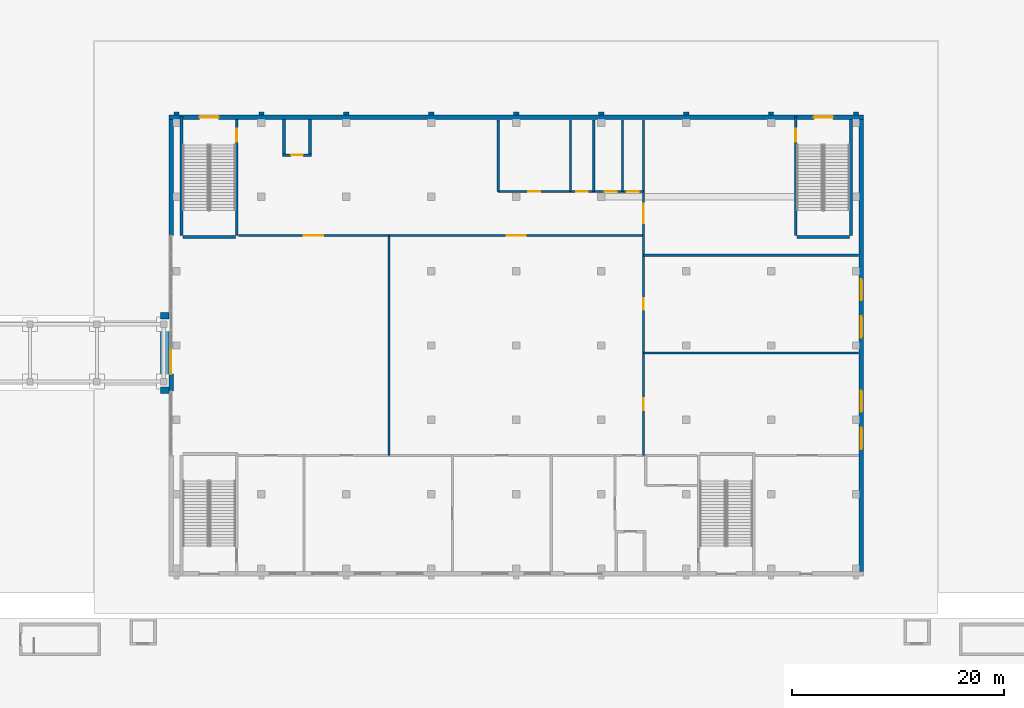
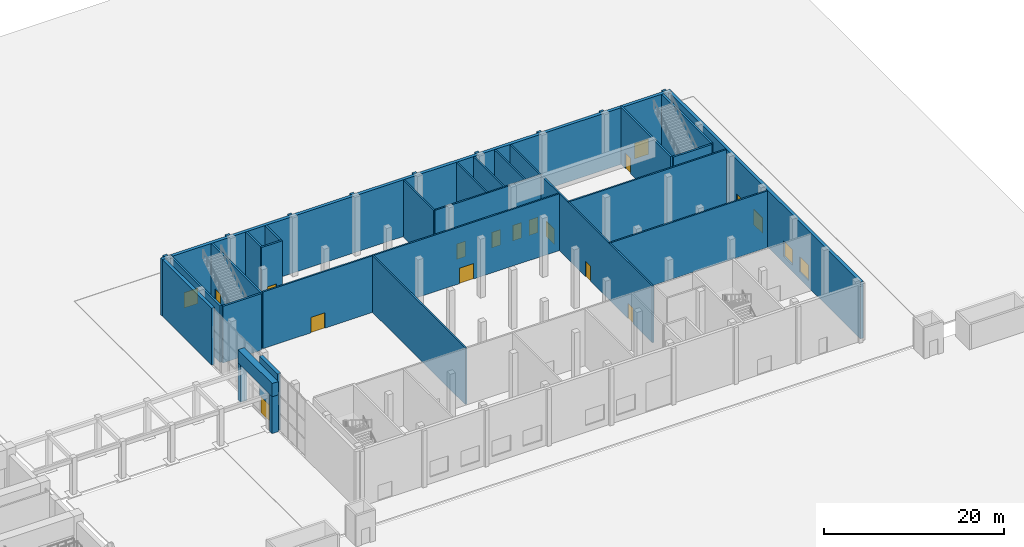
# One storey, part 34 of 57: 35 walls, 15 doors, 4 windows, 19 openings.
"""IFC4 building model written with IfcOpenShell, lengths in metres."""

from ifc_helpers import new_model, si_unit, direction, frame, frame_2d, origin, place, context, subcontext, project, spatial, rectangle, extrude, material, layer, layer_set, type_object, element, fill, save


model = new_model("IFC4")

# Units and contexts
model_context = context("Model", 3, precision=1e-05, world=origin(), true_north=direction((0.0, 1.0)))
body_context = subcontext(model_context, "Body", "Model", "MODEL_VIEW")
ifc_project = project(units=[si_unit("LENGTHUNIT", "METRE"), si_unit("AREAUNIT", "SQUARE_METRE"), si_unit("VOLUMEUNIT", "CUBIC_METRE"), si_unit("PLANEANGLEUNIT", "RADIAN"), si_unit("MASSUNIT", "GRAM", prefix="KILO")], contexts=[model_context])

# Site, building, storey
site_placement = place(None, origin())
site = spatial("IfcSite", under=ifc_project, at=site_placement, CompositionType="ELEMENT")
building_placement = place(site_placement, origin())
building = spatial("IfcBuilding", under=site, at=building_placement, Name="Tamorin Gate", CompositionType="ELEMENT")
storey_placement = place(building_placement, origin())
storey = spatial("IfcBuildingStorey", under=building, at=storey_placement, Name="L00", CompositionType="ELEMENT", Elevation=0.0)

# Wall, openings, doors
ifc_material_1 = material(Name="Dense blockwork, plastered", Category="masonry")
ifc_layer_1 = layer(ifc_material_1, 0.199951171875)
ifc_layer_set_1 = layer_set([ifc_layer_1], Name="Blockwork partition 200")
wall_type_1 = type_object("IfcWallType", Name="Blockwork partition 200", PredefinedType="PARTITIONING", material=ifc_layer_set_1)
wall_1_placement = place(storey_placement, frame((151.530029296875, 87.070068359375, 0.0), z_axis=(0.0, 0.0, 1.0), x_axis=(1.0, 0.0, 0.0)))
wall_1 = element("IfcWall", 1, at=wall_1_placement, inside=storey, type_object=wall_type_1, Name="Partition", PredefinedType="PARTITIONING", context=body_context, shape_type="SweptSolid", body=[
    extrude(rectangle(XDim=38.169921875, YDim=0.199951171875, at=frame_2d((19.0849609375, 0.0))), origin(), (0.0, 0.0, 1.0), 7.699951171875),
])
opening_1_placement = place(wall_1_placement, frame((6.169921875, 0.0, 0.0)))
opening_1 = element("IfcOpeningElement", 2, at=opening_1_placement, cuts=wall_1, Name="Opening DM60", PredefinedType="OPENING", context=body_context, shape_type="SweptSolid", body=[
    extrude(rectangle(XDim=1.800048828125, YDim=2.10009765625, at=frame_2d((0.89990234375, 1.050048828125))), frame((0.0, 0.10986328125, 0.0), z_axis=(0.0, -1.0, 0.0), x_axis=(1.0, 0.0, 0.0)), (0.0, 0.0, 1.0), 0.219970703125),
])
opening_2_placement = place(wall_1_placement, frame((25.27001953125, 0.0, 0.0)))
opening_2 = element("IfcOpeningElement", 3, at=opening_2_placement, cuts=wall_1, Name="Opening DM61", PredefinedType="OPENING", context=body_context, shape_type="SweptSolid", body=[
    extrude(rectangle(XDim=1.800048828125, YDim=2.10009765625, at=frame_2d((0.89990234375, 1.050048828125))), frame((0.0, 0.10986328125, 0.0), z_axis=(0.0, -1.0, 0.0), x_axis=(1.0, 0.0, 0.0)), (0.0, 0.0, 1.0), 0.219970703125),
])
ifc_material_2 = material(Name="Steel, painted", Category="steel")
door_type_1 = type_object("IfcDoorType", Name="Museum double door 1800x2100", OperationType="DOUBLE_DOOR_SINGLE_SWING", PredefinedType="DOOR", material=ifc_material_2)
door_1_placement = place(opening_1_placement, origin())
door_1 = element("IfcDoor", 4, at=door_1_placement, inside=storey, type_object=door_type_1, Name="Door Main hall", OperationType="DOUBLE_DOOR_SINGLE_SWING", OverallHeight=2.10009765625, OverallWidth=1.800048828125, PredefinedType="DOOR", context=body_context, shape_type="SweptSolid", body=[
    extrude(rectangle(XDim=1.800048828125, YDim=2.10009765625, at=frame_2d((0.89990234375, 1.050048828125))), frame((0.0, 0.02490234375, 0.0), z_axis=(0.0, -1.0, 0.0), x_axis=(1.0, 0.0, 0.0)), (0.0, 0.0, 1.0), 0.050048828125),
])
fill(opening_1, door_1)
door_2_placement = place(opening_2_placement, origin())
door_2 = element("IfcDoor", 5, at=door_2_placement, inside=storey, type_object=door_type_1, Name="Door Temporary exhibition gallery", OperationType="DOUBLE_DOOR_SINGLE_SWING", OverallHeight=2.10009765625, OverallWidth=1.800048828125, PredefinedType="DOOR", context=body_context, shape_type="SweptSolid", body=[
    extrude(rectangle(XDim=1.800048828125, YDim=2.10009765625, at=frame_2d((0.89990234375, 1.050048828125))), frame((0.0, 0.02490234375, 0.0), z_axis=(0.0, -1.0, 0.0), x_axis=(1.0, 0.0, 0.0)), (0.0, 0.0, 1.0), 0.050048828125),
])
fill(opening_2, door_2)

# Walls
for number, where, z_axis, x_axis, name in (
    (6, (189.699951171875, 76.0, 0.0), (0.0, 0.0, 1.0), (1.0, 0.0, 0.0), "Partition"),
    (7, (189.699951171875, 85.199951171875, 0.0), (0.0, 0.0, 1.0), (1.0, 0.0, 0.0), "Partition"),
):
    element("IfcWall", number, at=place(storey_placement, frame(where, z_axis=z_axis, x_axis=x_axis)), inside=storey, type_object=wall_type_1, Name=name, PredefinedType="PARTITIONING", context=body_context, shape_type="SweptSolid", body=[
        extrude(rectangle(XDim=20.25, YDim=0.199951171875, at=frame_2d((10.125, 0.0))), origin(), (0.0, 0.0, 1.0), 7.699951171875),
    ])

# Wall, openings, doors
wall_2_placement = place(storey_placement, frame((176.0, 91.199951171875, 0.0), z_axis=(0.0, 0.0, 1.0), x_axis=(1.0, 0.0, 0.0)))
wall_2 = element("IfcWall", 8, at=wall_2_placement, inside=storey, type_object=wall_type_1, Name="Partition", PredefinedType="PARTITIONING", context=body_context, shape_type="SweptSolid", body=[
    extrude(rectangle(XDim=13.699951171875, YDim=0.199951171875, at=frame_2d((6.85009765625, 0.0))), origin(), (0.0, 0.0, 1.0), 7.699951171875),
])
opening_3_placement = place(wall_2_placement, frame((2.85009765625, 0.0, 0.0)))
opening_3 = element("IfcOpeningElement", 9, at=opening_3_placement, cuts=wall_2, Name="Opening DM65", PredefinedType="OPENING", context=body_context, shape_type="SweptSolid", body=[
    extrude(rectangle(XDim=1.10009765625, YDim=2.10009765625, at=frame_2d((0.550048828125, 1.050048828125))), frame((0.0, 0.10986328125, 0.0), z_axis=(0.0, -1.0, 0.0), x_axis=(1.0, 0.0, 0.0)), (0.0, 0.0, 1.0), 0.219970703125),
])
opening_4_placement = place(wall_2_placement, frame((7.35009765625, 0.0, 0.0)))
opening_4 = element("IfcOpeningElement", 10, at=opening_4_placement, cuts=wall_2, Name="Opening DM66", PredefinedType="OPENING", context=body_context, shape_type="SweptSolid", body=[
    extrude(rectangle(XDim=1.10009765625, YDim=2.10009765625, at=frame_2d((0.550048828125, 1.050048828125))), frame((0.0, 0.10986328125, 0.0), z_axis=(0.0, -1.0, 0.0), x_axis=(1.0, 0.0, 0.0)), (0.0, 0.0, 1.0), 0.219970703125),
])
opening_5_placement = place(wall_2_placement, frame((10.050048828125, 0.0, 0.0)))
opening_5 = element("IfcOpeningElement", 11, at=opening_5_placement, cuts=wall_2, Name="Opening DM67", PredefinedType="OPENING", context=body_context, shape_type="SweptSolid", body=[
    extrude(rectangle(XDim=1.10009765625, YDim=2.10009765625, at=frame_2d((0.550048828125, 1.050048828125))), frame((0.0, 0.10986328125, 0.0), z_axis=(0.0, -1.0, 0.0), x_axis=(1.0, 0.0, 0.0)), (0.0, 0.0, 1.0), 0.219970703125),
])
opening_6_placement = place(wall_2_placement, frame((12.14990234375, 0.0, 0.0)))
opening_6 = element("IfcOpeningElement", 12, at=opening_6_placement, cuts=wall_2, Name="Opening DM68", PredefinedType="OPENING", context=body_context, shape_type="SweptSolid", body=[
    extrude(rectangle(XDim=1.10009765625, YDim=2.10009765625, at=frame_2d((0.550048828125, 1.050048828125))), frame((0.0, 0.10986328125, 0.0), z_axis=(0.0, -1.0, 0.0), x_axis=(1.0, 0.0, 0.0)), (0.0, 0.0, 1.0), 0.219970703125),
])
door_type_2 = type_object("IfcDoorType", Name="Museum door 1100x2100", OperationType="SINGLE_SWING_LEFT", PredefinedType="DOOR", material=ifc_material_2)
door_3_placement = place(opening_3_placement, origin())
door_3 = element("IfcDoor", 13, at=door_3_placement, inside=storey, type_object=door_type_2, Name="Door Public WC", OperationType="SINGLE_SWING_LEFT", OverallHeight=2.10009765625, OverallWidth=1.10009765625, PredefinedType="DOOR", context=body_context, shape_type="SweptSolid", body=[
    extrude(rectangle(XDim=1.10009765625, YDim=2.10009765625, at=frame_2d((0.550048828125, 1.050048828125))), frame((0.0, 0.02490234375, 0.0), z_axis=(0.0, -1.0, 0.0), x_axis=(1.0, 0.0, 0.0)), (0.0, 0.0, 1.0), 0.050048828125),
])
fill(opening_3, door_3)
door_4_placement = place(opening_4_placement, origin())
door_4 = element("IfcDoor", 14, at=door_4_placement, inside=storey, type_object=door_type_2, Name="Door Accessible WC", OperationType="SINGLE_SWING_RIGHT", OverallHeight=2.10009765625, OverallWidth=1.10009765625, PredefinedType="DOOR", context=body_context, shape_type="SweptSolid", body=[
    extrude(rectangle(XDim=1.10009765625, YDim=2.10009765625, at=frame_2d((0.550048828125, 1.050048828125))), frame((0.0, 0.02490234375, 0.0), z_axis=(0.0, -1.0, 0.0), x_axis=(1.0, 0.0, 0.0)), (0.0, 0.0, 1.0), 0.050048828125),
])
fill(opening_4, door_4)
door_5_placement = place(opening_5_placement, origin())
door_5 = element("IfcDoor", 15, at=door_5_placement, inside=storey, type_object=door_type_2, Name="Door Baby care room", OperationType="SINGLE_SWING_LEFT", OverallHeight=2.10009765625, OverallWidth=1.10009765625, PredefinedType="DOOR", context=body_context, shape_type="SweptSolid", body=[
    extrude(rectangle(XDim=1.10009765625, YDim=2.10009765625, at=frame_2d((0.550048828125, 1.050048828125))), frame((0.0, 0.02490234375, 0.0), z_axis=(0.0, -1.0, 0.0), x_axis=(1.0, 0.0, 0.0)), (0.0, 0.0, 1.0), 0.050048828125),
])
fill(opening_5, door_5)
door_6_placement = place(opening_6_placement, origin())
door_6 = element("IfcDoor", 16, at=door_6_placement, inside=storey, type_object=door_type_2, Name="Door Family changing room", OperationType="SINGLE_SWING_RIGHT", OverallHeight=2.10009765625, OverallWidth=1.10009765625, PredefinedType="DOOR", context=body_context, shape_type="SweptSolid", body=[
    extrude(rectangle(XDim=1.10009765625, YDim=2.10009765625, at=frame_2d((0.550048828125, 1.050048828125))), frame((0.0, 0.02490234375, 0.0), z_axis=(0.0, -1.0, 0.0), x_axis=(1.0, 0.0, 0.0)), (0.0, 0.0, 1.0), 0.050048828125),
])
fill(opening_6, door_6)

# Wall
wall_3_placement = place(storey_placement, frame((165.699951171875, 66.330078125, 0.0), z_axis=(0.0, 0.0, 1.0), x_axis=(0.0, 1.0, 0.0)))
element("IfcWall", 17, at=wall_3_placement, inside=storey, type_object=wall_type_1, Name="Partition", PredefinedType="PARTITIONING", context=body_context, shape_type="SweptSolid", body=[
    extrude(rectangle(XDim=20.739990234375, YDim=0.199951171875, at=frame_2d((10.3701171875, 0.0))), origin(), (0.0, 0.0, 1.0), 7.699951171875),
])

# Wall, openings, doors
wall_4_placement = place(storey_placement, frame((189.699951171875, 66.330078125, 0.0), z_axis=(0.0, 0.0, 1.0), x_axis=(0.0, 1.0, 0.0)))
wall_4 = element("IfcWall", 18, at=wall_4_placement, inside=storey, type_object=wall_type_1, Name="Partition", PredefinedType="PARTITIONING", context=body_context, shape_type="SweptSolid", body=[
    extrude(rectangle(XDim=31.619873046875, YDim=0.199951171875, at=frame_2d((15.81005859375, 0.0))), origin(), (0.0, 0.0, 1.0), 7.699951171875),
])
opening_7_placement = place(wall_4_placement, frame((4.284912109375, 0.0, 0.0)))
opening_7 = element("IfcOpeningElement", 19, at=opening_7_placement, cuts=wall_4, Name="Opening DM62", PredefinedType="OPENING", context=body_context, shape_type="SweptSolid", body=[
    extrude(rectangle(XDim=1.10009765625, YDim=2.10009765625, at=frame_2d((0.550048828125, 1.050048828125))), frame((0.0, 0.10986328125, 0.0), z_axis=(0.0, -1.0, 0.0), x_axis=(1.0, 0.0, 0.0)), (0.0, 0.0, 1.0), 0.219970703125),
])
opening_8_placement = place(wall_4_placement, frame((13.719970703125, 0.0, 0.0)))
opening_8 = element("IfcOpeningElement", 20, at=opening_8_placement, cuts=wall_4, Name="Opening DM63", PredefinedType="OPENING", context=body_context, shape_type="SweptSolid", body=[
    extrude(rectangle(XDim=1.10009765625, YDim=2.10009765625, at=frame_2d((0.550048828125, 1.050048828125))), frame((0.0, 0.10986328125, 0.0), z_axis=(0.0, -1.0, 0.0), x_axis=(1.0, 0.0, 0.0)), (0.0, 0.0, 1.0), 0.219970703125),
])
opening_9_placement = place(wall_4_placement, frame((21.905029296875, 0.0, 0.0)))
opening_9 = element("IfcOpeningElement", 21, at=opening_9_placement, cuts=wall_4, Name="Opening DM64", PredefinedType="OPENING", context=body_context, shape_type="SweptSolid", body=[
    extrude(rectangle(XDim=1.800048828125, YDim=2.10009765625, at=frame_2d((0.89990234375, 1.050048828125))), frame((0.0, 0.10986328125, 0.0), z_axis=(0.0, -1.0, 0.0), x_axis=(1.0, 0.0, 0.0)), (0.0, 0.0, 1.0), 0.219970703125),
])
door_7_placement = place(opening_7_placement, origin())
door_7 = element("IfcDoor", 22, at=door_7_placement, inside=storey, type_object=door_type_2, Name="Door Learning studio 1", OperationType="SINGLE_SWING_LEFT", OverallHeight=2.10009765625, OverallWidth=1.10009765625, PredefinedType="DOOR", context=body_context, shape_type="SweptSolid", body=[
    extrude(rectangle(XDim=1.10009765625, YDim=2.10009765625, at=frame_2d((0.550048828125, 1.050048828125))), frame((0.0, 0.02490234375, 0.0), z_axis=(0.0, -1.0, 0.0), x_axis=(1.0, 0.0, 0.0)), (0.0, 0.0, 1.0), 0.050048828125),
])
fill(opening_7, door_7)
door_8_placement = place(opening_8_placement, origin())
door_8 = element("IfcDoor", 23, at=door_8_placement, inside=storey, type_object=door_type_2, Name="Door Learning studio 2", OperationType="SINGLE_SWING_RIGHT", OverallHeight=2.10009765625, OverallWidth=1.10009765625, PredefinedType="DOOR", context=body_context, shape_type="SweptSolid", body=[
    extrude(rectangle(XDim=1.10009765625, YDim=2.10009765625, at=frame_2d((0.550048828125, 1.050048828125))), frame((0.0, 0.02490234375, 0.0), z_axis=(0.0, -1.0, 0.0), x_axis=(1.0, 0.0, 0.0)), (0.0, 0.0, 1.0), 0.050048828125),
])
fill(opening_8, door_8)
door_9_placement = place(opening_9_placement, origin())
door_9 = element("IfcDoor", 24, at=door_9_placement, inside=storey, type_object=door_type_1, Name="Door Auditorium", OperationType="DOUBLE_DOOR_SINGLE_SWING", OverallHeight=2.10009765625, OverallWidth=1.800048828125, PredefinedType="DOOR", context=body_context, shape_type="SweptSolid", body=[
    extrude(rectangle(XDim=1.800048828125, YDim=2.10009765625, at=frame_2d((0.89990234375, 1.050048828125))), frame((0.0, 0.02490234375, 0.0), z_axis=(0.0, -1.0, 0.0), x_axis=(1.0, 0.0, 0.0)), (0.0, 0.0, 1.0), 0.050048828125),
])
fill(opening_9, door_9)

# Walls
for number, where, z_axis, x_axis, name in (
    (25, (176.0, 91.199951171875, 0.0), (0.0, 0.0, 1.0), (0.0, 1.0, 0.0), "Partition"),
    (26, (182.800048828125, 91.199951171875, 0.0), (0.0, 0.0, 1.0), (0.0, 1.0, 0.0), "Partition"),
    (27, (185.0, 91.199951171875, 0.0), (0.0, 0.0, 1.0), (0.0, 1.0, 0.0), "Partition"),
    (28, (187.699951171875, 91.199951171875, 0.0), (0.0, 0.0, 1.0), (0.0, 1.0, 0.0), "Partition"),
):
    element("IfcWall", number, at=place(storey_placement, frame(where, z_axis=z_axis, x_axis=x_axis)), inside=storey, type_object=wall_type_1, Name=name, PredefinedType="PARTITIONING", context=body_context, shape_type="SweptSolid", body=[
        extrude(rectangle(XDim=6.75, YDim=0.199951171875, at=frame_2d((3.375, 0.0))), origin(), (0.0, 0.0, 1.0), 7.699951171875),
    ])

# Wall, openings, doors
ifc_material_3 = material(Name="Concrete C40/50", Category="concrete")
ifc_layer_2 = layer(ifc_material_3, 0.39990234375)
ifc_layer_set_2 = layer_set([ifc_layer_2], Name="Board-marked concrete facade wall 400 C40/50")
wall_type_2 = type_object("IfcWallType", Name="Board-marked concrete facade wall 400 C40/50", PredefinedType="SOLIDWALL", material=ifc_layer_set_2)
wall_5_placement = place(storey_placement, frame((145.0, 98.199951171875, 0.0), z_axis=(0.0, 0.0, 1.0), x_axis=(1.0, 0.0, 0.0)))
wall_5 = element("IfcWall", 29, at=wall_5_placement, inside=storey, type_object=wall_type_2, Name="Facade wall", PredefinedType="SOLIDWALL", context=body_context, shape_type="SweptSolid", body=[
    extrude(rectangle(XDim=65.39990234375, YDim=0.39990234375, at=frame_2d((32.699951171875, 0.0))), origin(), (0.0, 0.0, 1.0), 7.699951171875),
])
opening_10_placement = place(wall_5_placement, frame((2.875, 0.0, 0.0)))
opening_10 = element("IfcOpeningElement", 30, at=opening_10_placement, cuts=wall_5, Name="Opening DM106", PredefinedType="OPENING", context=body_context, shape_type="SweptSolid", body=[
    extrude(rectangle(XDim=1.800048828125, YDim=2.10009765625, at=frame_2d((0.89990234375, 1.050048828125))), frame((0.0, 0.2099609375, 0.0), z_axis=(0.0, -1.0, 0.0), x_axis=(1.0, 0.0, 0.0)), (0.0, 0.0, 1.0), 0.419921875),
])
opening_11_placement = place(wall_5_placement, frame((60.72509765625, 0.0, 0.0)))
opening_11 = element("IfcOpeningElement", 31, at=opening_11_placement, cuts=wall_5, Name="Opening DM109", PredefinedType="OPENING", context=body_context, shape_type="SweptSolid", body=[
    extrude(rectangle(XDim=1.800048828125, YDim=2.10009765625, at=frame_2d((0.89990234375, 1.050048828125))), frame((0.0, 0.2099609375, 0.0), z_axis=(0.0, -1.0, 0.0), x_axis=(1.0, 0.0, 0.0)), (0.0, 0.0, 1.0), 0.419921875),
])
door_type_3 = type_object("IfcDoorType", Name="Museum exit door 1800x2100 outward", OperationType="DOUBLE_DOOR_SINGLE_SWING", PredefinedType="DOOR", material=ifc_material_2)
door_10_placement = place(opening_10_placement, origin())
door_10 = element("IfcDoor", 32, at=door_10_placement, inside=storey, type_object=door_type_3, Name="Exit door PS6", OperationType="DOUBLE_DOOR_SINGLE_SWING", OverallHeight=2.10009765625, OverallWidth=1.800048828125, PredefinedType="DOOR", context=body_context, shape_type="SweptSolid", body=[
    extrude(rectangle(XDim=1.800048828125, YDim=2.10009765625, at=frame_2d((0.89990234375, 1.050048828125))), frame((0.0, 0.02490234375, 0.0), z_axis=(0.0, -1.0, 0.0), x_axis=(1.0, 0.0, 0.0)), (0.0, 0.0, 1.0), 0.050048828125),
])
fill(opening_10, door_10)
door_11_placement = place(opening_11_placement, origin())
door_11 = element("IfcDoor", 33, at=door_11_placement, inside=storey, type_object=door_type_3, Name="Exit door PS9", OperationType="DOUBLE_DOOR_SINGLE_SWING", OverallHeight=2.10009765625, OverallWidth=1.800048828125, PredefinedType="DOOR", context=body_context, shape_type="SweptSolid", body=[
    extrude(rectangle(XDim=1.800048828125, YDim=2.10009765625, at=frame_2d((0.89990234375, 1.050048828125))), frame((0.0, 0.02490234375, 0.0), z_axis=(0.0, -1.0, 0.0), x_axis=(1.0, 0.0, 0.0)), (0.0, 0.0, 1.0), 0.050048828125),
])
fill(opening_11, door_11)

# Wall, opening, door
wall_6_placement = place(storey_placement, frame((145.199951171875, 72.39990234375, 0.0), z_axis=(0.0, 0.0, 1.0), x_axis=(0.0, 1.0, 0.0)))
wall_6 = element("IfcWall", 34, at=wall_6_placement, inside=storey, type_object=wall_type_2, Name="Facade wall", PredefinedType="SOLIDWALL", context=body_context, shape_type="SweptSolid", body=[
    extrude(rectangle(XDim=4.0, YDim=0.39990234375, at=frame_2d((2.0, 0.0))), origin(), (0.0, 0.0, 1.0), 7.699951171875),
])
opening_12_placement = place(wall_6_placement, frame((1.60009765625, 0.0, 0.0)))
opening_12 = element("IfcOpeningElement", 35, at=opening_12_placement, cuts=wall_6, Name="Opening DM110", PredefinedType="OPENING", context=body_context, shape_type="SweptSolid", body=[
    extrude(rectangle(XDim=2.39990234375, YDim=2.39990234375, at=frame_2d((1.199951171875, 1.199951171875))), frame((0.0, 0.2099609375, 0.0), z_axis=(0.0, -1.0, 0.0), x_axis=(1.0, 0.0, 0.0)), (0.0, 0.0, 1.0), 0.419921875),
])
ifc_material_4 = material(Name="Aluminium and glass", Category="aluminium")
door_type_4 = type_object("IfcDoorType", Name="Museum entrance door 2400x2400", OperationType="DOUBLE_DOOR_SINGLE_SWING", PredefinedType="DOOR", material=ifc_material_4)
door_12_placement = place(opening_12_placement, origin())
door_12 = element("IfcDoor", 36, at=door_12_placement, inside=storey, type_object=door_type_4, Name="Museum entrance", OperationType="DOUBLE_DOOR_SINGLE_SWING", OverallHeight=2.39990234375, OverallWidth=2.39990234375, PredefinedType="DOOR", context=body_context, shape_type="SweptSolid", body=[
    extrude(rectangle(XDim=2.39990234375, YDim=2.39990234375, at=frame_2d((1.199951171875, 1.199951171875))), frame((0.0, 0.02490234375, 0.0), z_axis=(0.0, -1.0, 0.0), x_axis=(1.0, 0.0, 0.0)), (0.0, 0.0, 1.0), 0.050048828125),
])
fill(opening_12, door_12)

# Wall
wall_7_placement = place(storey_placement, frame((145.199951171875, 87.070068359375, 0.0), z_axis=(0.0, 0.0, 1.0), x_axis=(0.0, 1.0, 0.0)))
element("IfcWall", 37, at=wall_7_placement, inside=storey, type_object=wall_type_2, Name="Facade wall", PredefinedType="SOLIDWALL", context=body_context, shape_type="SweptSolid", body=[
    extrude(rectangle(XDim=10.929931640625, YDim=0.39990234375, at=frame_2d((5.46484375, 0.0))), origin(), (0.0, 0.0, 1.0), 7.699951171875),
])

# Wall, openings, windows
wall_8_placement = place(storey_placement, frame((210.199951171875, 55.39990234375, 0.0), z_axis=(0.0, 0.0, 1.0), x_axis=(0.0, 1.0, 0.0)))
wall_8 = element("IfcWall", 38, at=wall_8_placement, inside=storey, type_object=wall_type_2, Name="Facade wall", PredefinedType="SOLIDWALL", context=body_context, shape_type="SweptSolid", body=[
    extrude(rectangle(XDim=42.60009765625, YDim=0.39990234375, at=frame_2d((21.300048828125, 0.0))), origin(), (0.0, 0.0, 1.0), 7.699951171875),
])
opening_13_placement = place(wall_8_placement, frame((11.550048828125, 0.0, 0.89990234375)))
opening_13 = element("IfcOpeningElement", 39, at=opening_13_placement, cuts=wall_8, Name="Opening WNM1", PredefinedType="OPENING", context=body_context, shape_type="SweptSolid", body=[
    extrude(rectangle(XDim=2.0, YDim=2.10009765625, at=frame_2d((1.0, 1.050048828125))), frame((0.0, 0.2099609375, 0.0), z_axis=(0.0, -1.0, 0.0), x_axis=(1.0, 0.0, 0.0)), (0.0, 0.0, 1.0), 0.419921875),
])
opening_14_placement = place(wall_8_placement, frame((15.050048828125, 0.0, 0.89990234375)))
opening_14 = element("IfcOpeningElement", 40, at=opening_14_placement, cuts=wall_8, Name="Opening WNM1", PredefinedType="OPENING", context=body_context, shape_type="SweptSolid", body=[
    extrude(rectangle(XDim=2.0, YDim=2.10009765625, at=frame_2d((1.0, 1.050048828125))), frame((0.0, 0.2099609375, 0.0), z_axis=(0.0, -1.0, 0.0), x_axis=(1.0, 0.0, 0.0)), (0.0, 0.0, 1.0), 0.419921875),
])
opening_15_placement = place(wall_8_placement, frame((22.050048828125, 0.0, 0.89990234375)))
opening_15 = element("IfcOpeningElement", 41, at=opening_15_placement, cuts=wall_8, Name="Opening WNM1", PredefinedType="OPENING", context=body_context, shape_type="SweptSolid", body=[
    extrude(rectangle(XDim=2.0, YDim=2.10009765625, at=frame_2d((1.0, 1.050048828125))), frame((0.0, 0.2099609375, 0.0), z_axis=(0.0, -1.0, 0.0), x_axis=(1.0, 0.0, 0.0)), (0.0, 0.0, 1.0), 0.419921875),
])
opening_16_placement = place(wall_8_placement, frame((25.550048828125, 0.0, 0.89990234375)))
opening_16 = element("IfcOpeningElement", 42, at=opening_16_placement, cuts=wall_8, Name="Opening WNM1", PredefinedType="OPENING", context=body_context, shape_type="SweptSolid", body=[
    extrude(rectangle(XDim=2.0, YDim=2.10009765625, at=frame_2d((1.0, 1.050048828125))), frame((0.0, 0.2099609375, 0.0), z_axis=(0.0, -1.0, 0.0), x_axis=(1.0, 0.0, 0.0)), (0.0, 0.0, 1.0), 0.419921875),
])
window_type = type_object("IfcWindowType", Name="Deep-set window 2400x1500", PartitioningType="SINGLE_PANEL", PredefinedType="WINDOW", material=ifc_material_4)
window_1_placement = place(opening_13_placement, origin())
window_1 = element("IfcWindow", 43, at=window_1_placement, inside=storey, type_object=window_type, Name="Deep-set window", OverallHeight=2.10009765625, OverallWidth=2.0, PartitioningType="SINGLE_PANEL", PredefinedType="WINDOW", context=body_context, shape_type="SweptSolid", body=[
    extrude(rectangle(XDim=2.0, YDim=2.10009765625, at=frame_2d((1.0, 1.050048828125))), frame((0.0, 0.030029296875, 0.0), z_axis=(0.0, -1.0, 0.0), x_axis=(1.0, 0.0, 0.0)), (0.0, 0.0, 1.0), 0.06005859375),
])
fill(opening_13, window_1)
window_2_placement = place(opening_14_placement, origin())
window_2 = element("IfcWindow", 44, at=window_2_placement, inside=storey, type_object=window_type, Name="Deep-set window", OverallHeight=2.10009765625, OverallWidth=2.0, PartitioningType="SINGLE_PANEL", PredefinedType="WINDOW", context=body_context, shape_type="SweptSolid", body=[
    extrude(rectangle(XDim=2.0, YDim=2.10009765625, at=frame_2d((1.0, 1.050048828125))), frame((0.0, 0.030029296875, 0.0), z_axis=(0.0, -1.0, 0.0), x_axis=(1.0, 0.0, 0.0)), (0.0, 0.0, 1.0), 0.06005859375),
])
fill(opening_14, window_2)
window_3_placement = place(opening_15_placement, origin())
window_3 = element("IfcWindow", 45, at=window_3_placement, inside=storey, type_object=window_type, Name="Deep-set window", OverallHeight=2.10009765625, OverallWidth=2.0, PartitioningType="SINGLE_PANEL", PredefinedType="WINDOW", context=body_context, shape_type="SweptSolid", body=[
    extrude(rectangle(XDim=2.0, YDim=2.10009765625, at=frame_2d((1.0, 1.050048828125))), frame((0.0, 0.030029296875, 0.0), z_axis=(0.0, -1.0, 0.0), x_axis=(1.0, 0.0, 0.0)), (0.0, 0.0, 1.0), 0.06005859375),
])
fill(opening_15, window_3)
window_4_placement = place(opening_16_placement, origin())
window_4 = element("IfcWindow", 46, at=window_4_placement, inside=storey, type_object=window_type, Name="Deep-set window", OverallHeight=2.10009765625, OverallWidth=2.0, PartitioningType="SINGLE_PANEL", PredefinedType="WINDOW", context=body_context, shape_type="SweptSolid", body=[
    extrude(rectangle(XDim=2.0, YDim=2.10009765625, at=frame_2d((1.0, 1.050048828125))), frame((0.0, 0.030029296875, 0.0), z_axis=(0.0, -1.0, 0.0), x_axis=(1.0, 0.0, 0.0)), (0.0, 0.0, 1.0), 0.06005859375),
])
fill(opening_16, window_4)

# Wall
ifc_layer_3 = layer(ifc_material_3, 0.25)
ifc_layer_set_3 = layer_set([ifc_layer_3], Name="Museum stair and lift enclosure wall 250 C40/50")
wall_type_3 = type_object("IfcWallType", Name="Museum stair and lift enclosure wall 250 C40/50", PredefinedType="SHEAR", material=ifc_layer_set_3)
wall_9_placement = place(storey_placement, frame((146.175048828125, 87.0400390625, 0.0), z_axis=(0.0, 0.0, 1.0), x_axis=(0.0, 1.0, 0.0)))
element("IfcWall", 47, at=wall_9_placement, inside=storey, type_object=wall_type_3, Name="Stair PS6 wall", PredefinedType="SHEAR", context=body_context, shape_type="SweptSolid", body=[
    extrude(rectangle(XDim=11.2099609375, YDim=0.25, at=frame_2d((5.60498046875, 0.0))), origin(), (0.0, 0.0, 1.0), 7.699951171875),
])

# Wall, opening, door
wall_10_placement = place(storey_placement, frame((151.375, 87.0400390625, 0.0), z_axis=(0.0, 0.0, 1.0), x_axis=(0.0, 1.0, 0.0)))
wall_10 = element("IfcWall", 48, at=wall_10_placement, inside=storey, type_object=wall_type_3, Name="Stair PS6 wall", PredefinedType="SHEAR", context=body_context, shape_type="SweptSolid", body=[
    extrude(rectangle(XDim=10.9599609375, YDim=0.25, at=frame_2d((5.47998046875, 0.0))), origin(), (0.0, 0.0, 1.0), 7.699951171875),
])
opening_17_placement = place(wall_10_placement, frame((8.860107421875, 0.0, 0.0)))
opening_17 = element("IfcOpeningElement", 49, at=opening_17_placement, cuts=wall_10, Name="Opening DM2", PredefinedType="OPENING", context=body_context, shape_type="SweptSolid", body=[
    extrude(rectangle(XDim=1.199951171875, YDim=2.10009765625, at=frame_2d((0.60009765625, 1.050048828125))), frame((0.0, 0.135009765625, 0.0), z_axis=(0.0, -1.0, 0.0), x_axis=(1.0, 0.0, 0.0)), (0.0, 0.0, 1.0), 0.27001953125),
])
door_type_5 = type_object("IfcDoorType", Name="Museum stair door 1200x2100 FD90", OperationType="SINGLE_SWING_LEFT", PredefinedType="DOOR", material=ifc_material_2)
door_13_placement = place(opening_17_placement, origin())
door_13 = element("IfcDoor", 50, at=door_13_placement, inside=storey, type_object=door_type_5, Name="Stair door", OperationType="SINGLE_SWING_RIGHT", OverallHeight=2.10009765625, OverallWidth=1.199951171875, PredefinedType="DOOR", context=body_context, shape_type="SweptSolid", body=[
    extrude(rectangle(XDim=1.199951171875, YDim=2.10009765625, at=frame_2d((0.60009765625, 1.050048828125))), frame((0.0, 0.02490234375, 0.0), z_axis=(0.0, -1.0, 0.0), x_axis=(1.0, 0.0, 0.0)), (0.0, 0.0, 1.0), 0.050048828125),
])
fill(opening_17, door_13)

# Wall
wall_11_placement = place(storey_placement, frame((146.300048828125, 86.9150390625, 0.0), z_axis=(0.0, 0.0, 1.0), x_axis=(1.0, 0.0, 0.0)))
element("IfcWall", 51, at=wall_11_placement, inside=storey, type_object=wall_type_3, Name="Stair PS6 wall", PredefinedType="SHEAR", context=body_context, shape_type="SweptSolid", body=[
    extrude(rectangle(XDim=4.949951171875, YDim=0.25, at=frame_2d((2.47509765625, 0.0))), origin(), (0.0, 0.0, 1.0), 7.699951171875),
])

# Wall, opening, door
wall_12_placement = place(storey_placement, frame((204.02490234375, 87.0400390625, 0.0), z_axis=(0.0, 0.0, 1.0), x_axis=(0.0, 1.0, 0.0)))
wall_12 = element("IfcWall", 52, at=wall_12_placement, inside=storey, type_object=wall_type_3, Name="Stair PS9 wall", PredefinedType="SHEAR", context=body_context, shape_type="SweptSolid", body=[
    extrude(rectangle(XDim=11.2099609375, YDim=0.25, at=frame_2d((5.60498046875, 0.0))), origin(), (0.0, 0.0, 1.0), 7.699951171875),
])
opening_18_placement = place(wall_12_placement, frame((8.860107421875, 0.0, 0.0)))
opening_18 = element("IfcOpeningElement", 53, at=opening_18_placement, cuts=wall_12, Name="Opening DM20", PredefinedType="OPENING", context=body_context, shape_type="SweptSolid", body=[
    extrude(rectangle(XDim=1.199951171875, YDim=2.10009765625, at=frame_2d((0.60009765625, 1.050048828125))), frame((0.0, 0.135009765625, 0.0), z_axis=(0.0, -1.0, 0.0), x_axis=(1.0, 0.0, 0.0)), (0.0, 0.0, 1.0), 0.27001953125),
])
door_14_placement = place(opening_18_placement, origin())
door_14 = element("IfcDoor", 54, at=door_14_placement, inside=storey, type_object=door_type_5, Name="Stair door", OperationType="SINGLE_SWING_RIGHT", OverallHeight=2.10009765625, OverallWidth=1.199951171875, PredefinedType="DOOR", context=body_context, shape_type="SweptSolid", body=[
    extrude(rectangle(XDim=1.199951171875, YDim=2.10009765625, at=frame_2d((0.60009765625, 1.050048828125))), frame((0.0, 0.02490234375, 0.0), z_axis=(0.0, -1.0, 0.0), x_axis=(1.0, 0.0, 0.0)), (0.0, 0.0, 1.0), 0.050048828125),
])
fill(opening_18, door_14)

# Walls
wall_13_placement = place(storey_placement, frame((209.22509765625, 87.0400390625, 0.0), z_axis=(0.0, 0.0, 1.0), x_axis=(0.0, 1.0, 0.0)))
element("IfcWall", 55, at=wall_13_placement, inside=storey, type_object=wall_type_3, Name="Stair PS9 wall", PredefinedType="SHEAR", context=body_context, shape_type="SweptSolid", body=[
    extrude(rectangle(XDim=10.9599609375, YDim=0.25, at=frame_2d((5.47998046875, 0.0))), origin(), (0.0, 0.0, 1.0), 7.699951171875),
])
wall_14_placement = place(storey_placement, frame((204.14990234375, 86.9150390625, 0.0), z_axis=(0.0, 0.0, 1.0), x_axis=(1.0, 0.0, 0.0)))
element("IfcWall", 56, at=wall_14_placement, inside=storey, type_object=wall_type_3, Name="Stair PS9 wall", PredefinedType="SHEAR", context=body_context, shape_type="SweptSolid", body=[
    extrude(rectangle(XDim=4.9501953125, YDim=0.25, at=frame_2d((2.47509765625, 0.0))), origin(), (0.0, 0.0, 1.0), 7.699951171875),
])

# Wall, opening, door
wall_15_placement = place(storey_placement, frame((155.699951171875, 94.625, 0.0), z_axis=(0.0, 0.0, 1.0), x_axis=(1.0, 0.0, 0.0)))
wall_15 = element("IfcWall", 57, at=wall_15_placement, inside=storey, type_object=wall_type_3, Name="Lift shaft LM1", PredefinedType="SHEAR", context=body_context, shape_type="SweptSolid", body=[
    extrude(rectangle(XDim=2.699951171875, YDim=0.25, at=frame_2d((1.35009765625, 0.0))), origin(), (0.0, 0.0, 1.0), 7.699951171875),
])
opening_19_placement = place(wall_15_placement, frame((0.800048828125, 0.0, 0.0)))
opening_19 = element("IfcOpeningElement", 58, at=opening_19_placement, cuts=wall_15, Name="Opening LD24", PredefinedType="OPENING", context=body_context, shape_type="SweptSolid", body=[
    extrude(rectangle(XDim=1.10009765625, YDim=2.10009765625, at=frame_2d((0.550048828125, 1.050048828125))), frame((0.0, 0.135009765625, 0.0), z_axis=(0.0, -1.0, 0.0), x_axis=(1.0, 0.0, 0.0)), (0.0, 0.0, 1.0), 0.27001953125),
])
ifc_material_5 = material(Name="Stainless steel", Category="steel")
door_type_6 = type_object("IfcDoorType", Name="Museum lift landing door 1100x2100", OperationType="DOUBLE_DOOR_SLIDING", PredefinedType="DOOR", material=ifc_material_5)
door_15_placement = place(opening_19_placement, origin())
door_15 = element("IfcDoor", 59, at=door_15_placement, inside=storey, type_object=door_type_6, Name="Lift landing door", OperationType="DOUBLE_DOOR_SLIDING", OverallHeight=2.10009765625, OverallWidth=1.10009765625, PredefinedType="DOOR", context=body_context, shape_type="SweptSolid", body=[
    extrude(rectangle(XDim=1.10009765625, YDim=2.10009765625, at=frame_2d((0.550048828125, 1.050048828125))), frame((0.0, 0.02490234375, 0.0), z_axis=(0.0, -1.0, 0.0), x_axis=(1.0, 0.0, 0.0)), (0.0, 0.0, 1.0), 0.050048828125),
])
fill(opening_19, door_15)

# Walls
for number, where, z_axis, x_axis, name in (
    (60, (155.824951171875, 94.75, 0.0), (0.0, 0.0, 1.0), (0.0, 1.0, 0.0), "Lift shaft LM1"),
    (61, (158.27490234375, 94.75, 0.0), (0.0, 0.0, 1.0), (0.0, 1.0, 0.0), "Lift shaft LM1"),
):
    element("IfcWall", number, at=place(storey_placement, frame(where, z_axis=z_axis, x_axis=x_axis)), inside=storey, type_object=wall_type_3, Name=name, PredefinedType="SHEAR", context=body_context, shape_type="SweptSolid", body=[
        extrude(rectangle(XDim=3.25, YDim=0.25, at=frame_2d((1.625, 0.0))), origin(), (0.0, 0.0, 1.0), 7.699951171875),
    ])
ifc_layer_4 = layer(ifc_material_3, 0.60009765625)
ifc_layer_set_4 = layer_set([ifc_layer_4], Name="Precast portal fin wall 600 C40/50")
wall_type_4 = type_object("IfcWallType", Name="Precast portal fin wall 600 C40/50", PredefinedType="STANDARD", material=ifc_layer_set_4)
for number, where, z_axis, x_axis, name in (
    (62, (144.199951171875, 72.5, 0.0), (0.0, 0.0, 1.0), (1.0, 0.0, 0.0), "Entrance portal fin"),
    (63, (144.199951171875, 79.5, 0.0), (0.0, 0.0, 1.0), (1.0, 0.0, 0.0), "Entrance portal fin"),
):
    element("IfcWall", number, at=place(storey_placement, frame(where, z_axis=z_axis, x_axis=x_axis)), inside=storey, type_object=wall_type_4, Name=name, PredefinedType="STANDARD", context=body_context, shape_type="SweptSolid", body=[
        extrude(rectangle(XDim=0.800048828125, YDim=0.60009765625, at=frame_2d((0.39990234375, 0.0))), origin(), (0.0, 0.0, 1.0), 5.0),
    ])
wall_16_placement = place(storey_placement, frame((144.60009765625, 72.199951171875, 5.0), z_axis=(0.0, 0.0, 1.0), x_axis=(0.0, 1.0, 0.0)))
element("IfcWall", 64, at=wall_16_placement, inside=storey, type_object=wall_type_4, Name="Entrance portal lintel", PredefinedType="STANDARD", context=body_context, shape_type="SweptSolid", body=[
    extrude(rectangle(XDim=7.60009765625, YDim=0.800048828125, at=frame_2d((3.800048828125, 0.0))), origin(), (0.0, 0.0, 1.0), 1.800048828125),
])
ifc_layer_5 = layer(ifc_material_3, 0.5)
ifc_layer_set_5 = layer_set([ifc_layer_5], Name="Precast rib wall 500 C40/50")
wall_type_5 = type_object("IfcWallType", Name="Precast rib wall 500 C40/50", PredefinedType="STANDARD", material=ifc_layer_set_5)
for number, where, z_axis, x_axis, name in (
    (65, (145.699951171875, 98.39990234375, 0.0), (0.0, 0.0, 1.0), (0.0, 1.0, 0.0), "Precast rib"),
    (66, (153.699951171875, 98.39990234375, 0.0), (0.0, 0.0, 1.0), (0.0, 1.0, 0.0), "Precast rib"),
    (67, (161.699951171875, 98.39990234375, 0.0), (0.0, 0.0, 1.0), (0.0, 1.0, 0.0), "Precast rib"),
    (68, (169.699951171875, 98.39990234375, 0.0), (0.0, 0.0, 1.0), (0.0, 1.0, 0.0), "Precast rib"),
    (69, (177.699951171875, 98.39990234375, 0.0), (0.0, 0.0, 1.0), (0.0, 1.0, 0.0), "Precast rib"),
    (70, (185.699951171875, 98.39990234375, 0.0), (0.0, 0.0, 1.0), (0.0, 1.0, 0.0), "Precast rib"),
    (71, (193.699951171875, 98.39990234375, 0.0), (0.0, 0.0, 1.0), (0.0, 1.0, 0.0), "Precast rib"),
    (72, (201.699951171875, 98.39990234375, 0.0), (0.0, 0.0, 1.0), (0.0, 1.0, 0.0), "Precast rib"),
    (73, (209.699951171875, 98.39990234375, 0.0), (0.0, 0.0, 1.0), (0.0, 1.0, 0.0), "Precast rib"),
):
    element("IfcWall", number, at=place(storey_placement, frame(where, z_axis=z_axis, x_axis=x_axis)), inside=storey, type_object=wall_type_5, Name=name, PredefinedType="STANDARD", context=body_context, shape_type="SweptSolid", body=[
        extrude(rectangle(XDim=0.300048828125, YDim=0.5, at=frame_2d((0.14990234375, 0.0))), origin(), (0.0, 0.0, 1.0), 7.699951171875),
    ])

save(model, "model.ifc")
